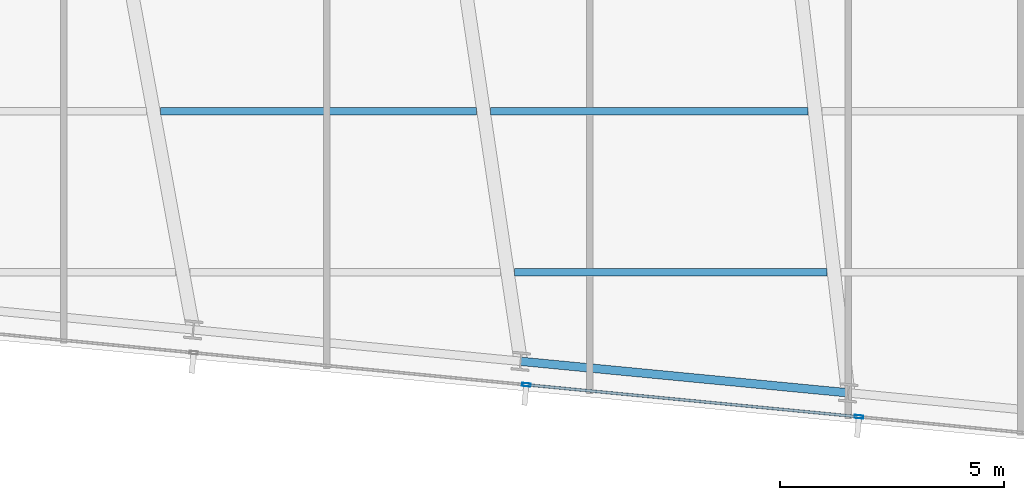
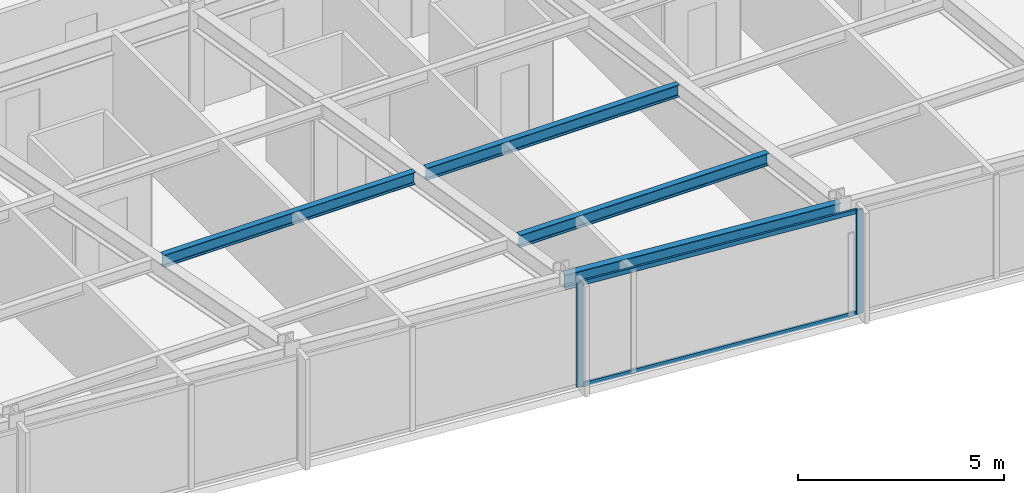
# One storey, part 12 of 37: 4 beams, 4 members, 1 element without a shape of its own.
"""IFC4 building model written with IfcOpenShell, lengths in metres."""

from ifc_helpers import new_model, si_unit, direction, frame, origin, origin_2d, place, context, subcontext, project, spatial, hollow_rectangle, i_section, extrude, material, material_profile, profile_set, type_object, element, aggregate, save


model = new_model("IFC4")

# Units and contexts
model_context = context("Model", 3, precision=1e-05, world=origin(), true_north=direction((0.0, 1.0)))
body_context = subcontext(model_context, "Body", "Model", "MODEL_VIEW")
ifc_project = project(units=[si_unit("LENGTHUNIT", "METRE"), si_unit("AREAUNIT", "SQUARE_METRE"), si_unit("VOLUMEUNIT", "CUBIC_METRE"), si_unit("PLANEANGLEUNIT", "RADIAN"), si_unit("MASSUNIT", "GRAM", prefix="KILO")], contexts=[model_context])

# Site, building, storey
site_placement = place(None, origin())
site = spatial("IfcSite", under=ifc_project, at=site_placement, CompositionType="ELEMENT")
building_placement = place(site_placement, origin())
building = spatial("IfcBuilding", under=site, at=building_placement, Name="Yelkora Congress Tower", CompositionType="ELEMENT")
storey_placement = place(building_placement, frame((0.0, 0.0, 158.89990234375)))
storey = spatial("IfcBuildingStorey", under=building, at=storey_placement, Name="L43", CompositionType="ELEMENT", Elevation=158.89990234375)

# Beams
ifc_material_1 = material(Name="Steel S355J2", Category="steel")
ifc_material_profile_1 = material_profile(ifc_material_1, i_section(OverallWidth=0.169921875, OverallDepth=0.360107421875, WebThickness=0.008056640625, FlangeThickness=0.0126953125, FilletRadius=0.01806640625, at=origin_2d()), Name="IPE 360")
ifc_profile_set_1 = profile_set([ifc_material_profile_1], Name="Steel S355J2")
beam_type_1 = type_object("IfcBeamType", Name="BM-JOIST-IPE360", PredefinedType="JOIST", material=ifc_profile_set_1)
beam_1_placement = place(storey_placement, frame((40.39990234375, 12.8212890625, 2.900146484375), z_axis=(1.0, 0.0, 0.0), x_axis=(0.0, 1.0, 0.0)))
element("IfcBeam", 1, at=beam_1_placement, inside=storey, type_object=beam_type_1, Name="L43 Composite Floor Joist 3", PredefinedType="JOIST", context=body_context, shape_type="SweptSolid", body=[
    extrude(i_section(OverallWidth=0.169921875, OverallDepth=0.360107421875, WebThickness=0.008056640625, FlangeThickness=0.0126953125, FilletRadius=0.01806640625, at=origin_2d()), origin(), (0.0, 0.0, 1.0), 6.98095703125),
])
beam_2_placement = place(storey_placement, frame((32.481201171875, 16.421142578125, 2.900146484375), z_axis=(1.0, 0.0, 0.0), x_axis=(0.0, 1.0, 0.0)))
element("IfcBeam", 2, at=beam_2_placement, inside=storey, type_object=beam_type_1, Name="L43 Composite Floor Joist 9", PredefinedType="JOIST", context=body_context, shape_type="SweptSolid", body=[
    extrude(i_section(OverallWidth=0.169921875, OverallDepth=0.360107421875, WebThickness=0.008056640625, FlangeThickness=0.0126953125, FilletRadius=0.01806640625, at=origin_2d()), origin(), (0.0, 0.0, 1.0), 7.063720703125),
])
beam_3_placement = place(storey_placement, frame((39.86474609375, 16.421142578125, 2.900146484375), z_axis=(1.0, 0.0, 0.0), x_axis=(0.0, 1.0, 0.0)))
element("IfcBeam", 3, at=beam_3_placement, inside=storey, type_object=beam_type_1, Name="L43 Composite Floor Joist 10", PredefinedType="JOIST", context=body_context, shape_type="SweptSolid", body=[
    extrude(i_section(OverallWidth=0.169921875, OverallDepth=0.360107421875, WebThickness=0.008056640625, FlangeThickness=0.0126953125, FilletRadius=0.01806640625, at=origin_2d()), origin(), (0.0, 0.0, 1.0), 7.09130859375),
])
ifc_material_profile_2 = material_profile(ifc_material_1, i_section(OverallWidth=0.18994140625, OverallDepth=0.449951171875, WebThickness=0.009521484375, FlangeThickness=0.0146484375, FilletRadius=0.02099609375, at=origin_2d()), Name="IPE 450")
ifc_profile_set_2 = profile_set([ifc_material_profile_2], Name="Steel S355J2")
beam_type_2 = type_object("IfcBeamType", Name="BM-SPAN-IPE450", PredefinedType="SPANDREL", material=ifc_profile_set_2)
beam_4_placement = place(storey_placement, frame((40.53564453125, 10.83154296875, 2.85498046875), z_axis=(0.995397104697, -0.095836339457, 0.0), x_axis=(0.095836339457, 0.995397104697, 0.0)))
element("IfcBeam", 4, at=beam_4_placement, inside=storey, type_object=beam_type_2, Name="L43 Perimeter Beam 7", PredefinedType="SPANDREL", context=body_context, shape_type="SweptSolid", body=[
    extrude(i_section(OverallWidth=0.18994140625, OverallDepth=0.449951171875, WebThickness=0.009521484375, FlangeThickness=0.0146484375, FilletRadius=0.02099609375, at=origin_2d()), origin(), (0.0, 0.0, 1.0), 7.357177734375),
])

# Curtain wall, members
ifc_material_2 = material(Name="Anodised aluminium and insulated glass", Category="aluminium")
curtain_wall_type = type_object("IfcCurtainWallType", Name="CW-SYS-B3", PredefinedType="NOTDEFINED", material=ifc_material_2)
curtain_wall_placement = place(storey_placement, origin())
curtain_wall = element("IfcCurtainWall", 5, at=curtain_wall_placement, inside=storey, type_object=curtain_wall_type, Name="L43 Unitised Curtain Wall 20", PredefinedType="NOTDEFINED")
ifc_material_3 = material(Name="Anodised aluminium 6063-T6", Category="aluminium")
ifc_material_profile_3 = material_profile(ifc_material_3, hollow_rectangle(XDim=0.070068359375, YDim=0.18994140625, WallThickness=0.00390625, at=origin_2d()), Name="ALU 70x190x4")
ifc_profile_set_3 = profile_set([ifc_material_profile_3], Name="Anodised aluminium 6063-T6")
member_type_1 = type_object("IfcMemberType", Name="MEM-ML-B3", PredefinedType="MULLION", material=ifc_profile_set_3)
member_1_placement = place(storey_placement, frame((48.1015625, 9.590576171875, 0.0), z_axis=(0.0, 0.0, 1.0), x_axis=(-0.095844680679, -0.995396301573, 0.0)))
member_1 = element("IfcMember", 6, at=member_1_placement, type_object=member_type_1, Name="CW-B3 mullion 2", PredefinedType="MULLION", context=body_context, shape_type="SweptSolid", body=[
    extrude(hollow_rectangle(XDim=0.070068359375, YDim=0.18994140625, WallThickness=0.00390625, at=origin_2d()), origin(), (0.0, 0.0, 1.0), 3.080078125),
])
member_2_placement = place(storey_placement, frame((40.66162109375, 10.30712890625, 0.0), z_axis=(0.0, 0.0, 1.0), x_axis=(-0.095844680679, -0.995396301573, 0.0)))
member_2 = element("IfcMember", 7, at=member_2_placement, type_object=member_type_1, Name="CW-B3 mullion 3", PredefinedType="MULLION", context=body_context, shape_type="SweptSolid", body=[
    extrude(hollow_rectangle(XDim=0.070068359375, YDim=0.18994140625, WallThickness=0.00390625, at=origin_2d()), origin(), (0.0, 0.0, 1.0), 3.080078125),
])
ifc_material_profile_4 = material_profile(ifc_material_3, hollow_rectangle(XDim=0.06005859375, YDim=0.1298828125, WallThickness=0.00390625, at=origin_2d()), Name="ALU 60x130x4")
ifc_profile_set_4 = profile_set([ifc_material_profile_4], Name="Anodised aluminium 6063-T6")
member_type_2 = type_object("IfcMemberType", Name="MEM-TR-B3", PredefinedType="USERDEFINED", material=ifc_profile_set_4)
member_3_placement = place(storey_placement, frame((48.066650390625, 9.593994140625, 0.030029296875), z_axis=(-0.99539548672, 0.095853142967, 0.0), x_axis=(-0.095853142967, -0.99539548672, 0.0)))
member_3 = element("IfcMember", 8, at=member_3_placement, type_object=member_type_2, Name="CW-B3 transom 2.1", ObjectType="TRANSOM", PredefinedType="USERDEFINED", context=body_context, shape_type="SweptSolid", body=[
    extrude(hollow_rectangle(XDim=0.06005859375, YDim=0.1298828125, WallThickness=0.00390625, at=origin_2d()), origin(), (0.0, 0.0, 1.0), 7.404296875),
])
member_4_placement = place(storey_placement, frame((48.066650390625, 9.593994140625, 3.050048828125), z_axis=(-0.99539548672, 0.095853142967, 0.0), x_axis=(-0.095853142967, -0.99539548672, 0.0)))
member_4 = element("IfcMember", 9, at=member_4_placement, type_object=member_type_2, Name="CW-B3 transom 2.2", ObjectType="TRANSOM", PredefinedType="USERDEFINED", context=body_context, shape_type="SweptSolid", body=[
    extrude(hollow_rectangle(XDim=0.06005859375, YDim=0.1298828125, WallThickness=0.00390625, at=origin_2d()), origin(), (0.0, 0.0, 1.0), 7.404296875),
])
aggregate(curtain_wall, [member_1, member_2, member_3, member_4])

save(model, "model.ifc")
